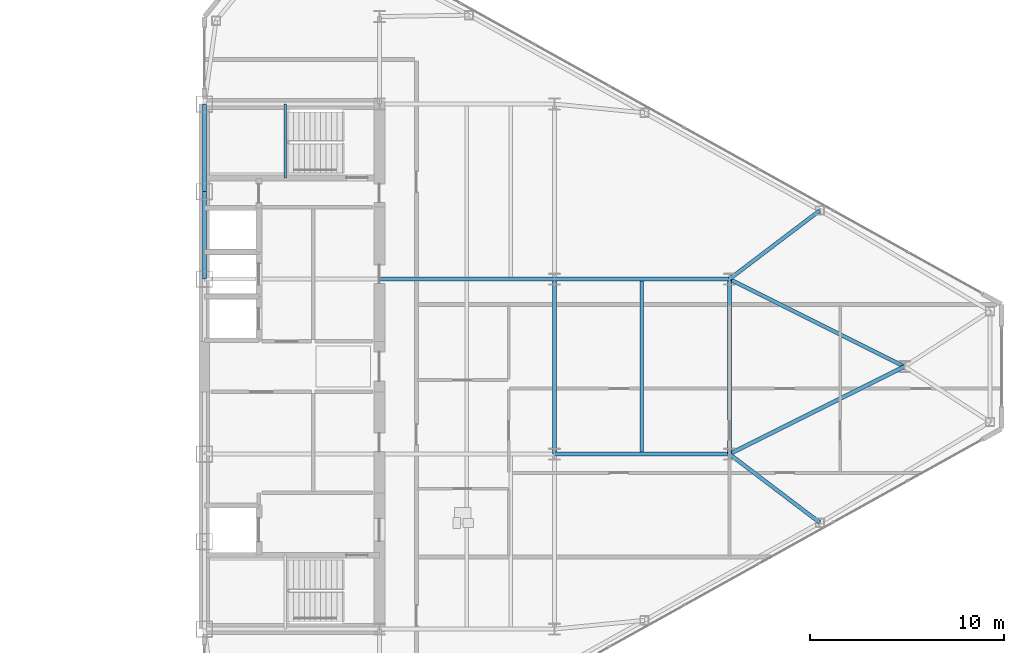
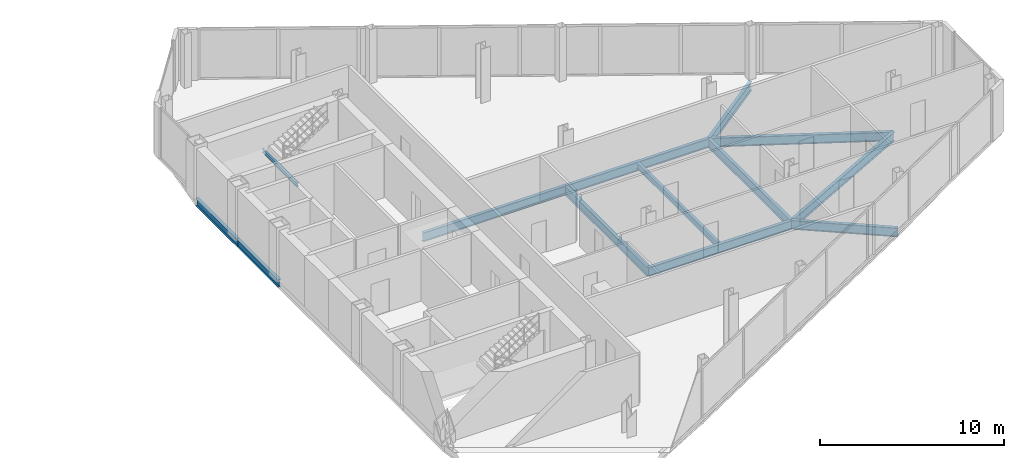
# One storey, part 14 of 25: 13 beams.
"""IFC4 building model written with IfcOpenShell, lengths in metres."""

from ifc_helpers import new_model, si_unit, direction, frame, origin, origin_2d, place, context, subcontext, project, spatial, i_section, extrude, source, transform, mapped, material, material_profile, profile_set, type_object, type_shapes, element, save


model = new_model("IFC4")

# Units and contexts
model_context = context("Model", 3, precision=1e-05, world=origin(), true_north=direction((0.0, 1.0)))
body_context = subcontext(model_context, "Body", "Model", "MODEL_VIEW")
ifc_project = project(units=[si_unit("LENGTHUNIT", "METRE"), si_unit("AREAUNIT", "SQUARE_METRE"), si_unit("VOLUMEUNIT", "CUBIC_METRE"), si_unit("PLANEANGLEUNIT", "RADIAN"), si_unit("MASSUNIT", "GRAM", prefix="KILO")], contexts=[model_context])

# Site, building, storey
site_placement = place(None, origin())
site = spatial("IfcSite", under=ifc_project, at=site_placement, CompositionType="ELEMENT")
building_placement = place(site_placement, origin())
building = spatial("IfcBuilding", under=site, at=building_placement, Name="Seokmaru Belvedere", CompositionType="ELEMENT")
storey_placement = place(building_placement, frame((0.0, 0.0, 185.10009765625)))
storey = spatial("IfcBuildingStorey", under=building, at=storey_placement, Name="L49", CompositionType="ELEMENT", Elevation=185.10009765625)

# Beams
ifc_material = material(Name="Steel SM355 (355 MPa)", Category="steel")
ifc_material_profile_1 = material_profile(ifc_material, i_section(OverallWidth=0.199951171875, OverallDepth=0.5, WebThickness=0.010009765625, FlangeThickness=0.01611328125, at=origin_2d()), Name="H-500x200x10x16")
ifc_profile_set_1 = profile_set([ifc_material_profile_1], Name="Steel SM355 (355 MPa)")
beam_type_1 = type_object("IfcBeamType", Name="Perimeter Spandrel Beam H-500", PredefinedType="SPANDREL", material=ifc_profile_set_1)
shared_shape_1 = source(origin(), body_context, "Body", "SweptSolid", [
    extrude(i_section(OverallWidth=0.199951171875, OverallDepth=0.5, WebThickness=0.010009765625, FlangeThickness=0.01611328125, at=origin_2d()), origin(), (0.0, 0.0, 1.0), 4.5),
])
type_shapes(beam_type_1, [shared_shape_1])
for number, where, z_axis, x_axis, name in (
    (1, (27.5, 4.5, -0.47021484375), (0.0, 1.0, 0.0), (-1.0, 0.0, 0.0), "L49 E Portal Spine Spandrel 4"),
    (2, (27.5, 9.0, -0.47021484375), (0.0, 1.0, 0.0), (-1.0, 0.0, 0.0), "L49 E Portal Spine Spandrel 5"),
):
    element("IfcBeam", number, at=place(storey_placement, frame(where, z_axis=z_axis, x_axis=x_axis)), inside=storey, type_object=beam_type_1, Name=name, PredefinedType="SPANDREL", context=body_context, shape_type="MappedRepresentation", body=[
        mapped(shared_shape_1, transform((0.0, 0.0, 0.0), scale=1.0)),
    ])
ifc_material_profile_2 = material_profile(ifc_material, i_section(OverallWidth=0.199951171875, OverallDepth=0.60009765625, WebThickness=0.010986328125, FlangeThickness=0.01708984375, at=origin_2d()), Name="H-600x200x11x17")
ifc_profile_set_2 = profile_set([ifc_material_profile_2], Name="Steel SM355 (355 MPa)")
beam_type_2 = type_object("IfcBeamType", Name="Primary Floor Girder H-600", PredefinedType="BEAM", material=ifc_profile_set_2)
shared_shape_2 = source(origin(), body_context, "Body", "SweptSolid", [
    extrude(i_section(OverallWidth=0.199951171875, OverallDepth=0.60009765625, WebThickness=0.010986328125, FlangeThickness=0.01708984375, at=origin_2d()), origin(), (0.0, 0.0, 1.0), 9.0),
])
for number, where, z_axis, x_axis, name in (
    (3, (45.5, -4.5, -0.52001953125), (0.0, 1.0, 0.0), (-1.0, 0.0, 0.0), "L49 E Interior Grid Girder 2"),
    (4, (36.5, 4.5, -0.52001953125), (1.0, 0.0, 0.0), (0.0, 1.0, 0.0), "L49 E Wing Primary Girder 3"),
    (5, (45.5, -4.5, -0.52001953125), (1.0, 0.0, 0.0), (0.0, 1.0, 0.0), "L49 E Outer Wing Girder 1"),
    (6, (45.5, 4.5, -0.52001953125), (1.0, 0.0, 0.0), (0.0, 1.0, 0.0), "L49 E Outer Wing Girder 2"),
    (7, (54.5, -4.5, -0.52001953125), (0.0, 1.0, 0.0), (-1.0, 0.0, 0.0), "L49 E Apex Frame Girder"),
):
    element("IfcBeam", number, at=place(storey_placement, frame(where, z_axis=z_axis, x_axis=x_axis)), inside=storey, type_object=beam_type_2, Name=name, PredefinedType="BEAM", context=body_context, shape_type="MappedRepresentation", body=[
        mapped(shared_shape_2, transform((0.0, 0.0, 0.0), scale=1.0)),
    ])
shared_shape_3 = source(origin(), body_context, "Body", "SweptSolid", [
    extrude(i_section(OverallWidth=0.199951171875, OverallDepth=0.60009765625, WebThickness=0.010986328125, FlangeThickness=0.01708984375, at=origin_2d()), origin(), (0.0, 0.0, 1.0), 10.062255859375),
])
for number, where, z_axis, x_axis, name in (
    (8, (54.5, -4.5, -0.52001953125), (0.894427191, 0.4472135955, 0.0), (-0.4472135955, 0.894427191, 0.0), "L49 E Apex Converging Girder 1"),
    (9, (54.5, 4.5, -0.52001953125), (0.894427191, -0.4472135955, 0.0), (0.4472135955, 0.894427191, 0.0), "L49 E Apex Converging Girder 2"),
):
    element("IfcBeam", number, at=place(storey_placement, frame(where, z_axis=z_axis, x_axis=x_axis)), inside=storey, type_object=beam_type_2, Name=name, PredefinedType="BEAM", context=body_context, shape_type="MappedRepresentation", body=[
        mapped(shared_shape_3, transform((0.0, 0.0, 0.0), scale=1.0)),
    ])
ifc_material_profile_3 = material_profile(ifc_material, i_section(OverallWidth=0.18505859375, OverallDepth=0.389892578125, WebThickness=0.008056640625, FlangeThickness=0.011962890625, at=origin_2d()), Name="H-390x185x8x12")
ifc_profile_set_3 = profile_set([ifc_material_profile_3], Name="Steel SM355 (355 MPa)")
beam_type_3 = type_object("IfcBeamType", Name="Secondary Floor Joist H-350", PredefinedType="JOIST", material=ifc_profile_set_3)
shared_shape_4 = source(origin(), body_context, "Body", "SweptSolid", [
    extrude(i_section(OverallWidth=0.18505859375, OverallDepth=0.389892578125, WebThickness=0.008056640625, FlangeThickness=0.011962890625, at=origin_2d()), origin(), (0.0, 0.0, 1.0), 8.7900390625),
])
type_shapes(beam_type_3, [shared_shape_4])
beam_1_placement = place(storey_placement, frame((50.0, -4.39501953125, -0.4150390625), z_axis=(0.0, 1.0, 0.0), x_axis=(-1.0, 0.0, 0.0)))
element("IfcBeam", 10, at=beam_1_placement, inside=storey, type_object=beam_type_3, Name="L49 E Outer Bay Secondary Joist", PredefinedType="JOIST", context=body_context, shape_type="MappedRepresentation", body=[
    mapped(shared_shape_4, transform((0.0, 0.0, 0.0), scale=1.0)),
])
shared_shape_5 = source(origin(), body_context, "Body", "SweptSolid", [
    extrude(i_section(OverallWidth=0.199951171875, OverallDepth=0.60009765625, WebThickness=0.010986328125, FlangeThickness=0.01708984375, at=origin_2d()), origin(), (0.0, 0.0, 1.0), 5.842529296875),
])
type_shapes(beam_type_2, [shared_shape_2, shared_shape_3, shared_shape_5])
for number, where, z_axis, x_axis, name in (
    (11, (59.154541015625, -8.031494140625, -0.52001953125), (-0.796653109879, 0.604436781243, 0.0), (-0.604436781243, -0.796653109879, 0.0), "L49 E Flank Radial Floor Girder S-3"),
    (12, (59.154541015625, 8.031494140625, -0.52001953125), (-0.796653109879, -0.604436781243, 0.0), (0.604436781243, -0.796653109879, 0.0), "L49 E Flank Radial Floor Girder N-3"),
):
    element("IfcBeam", number, at=place(storey_placement, frame(where, z_axis=z_axis, x_axis=x_axis)), inside=storey, type_object=beam_type_2, Name=name, PredefinedType="BEAM", context=body_context, shape_type="MappedRepresentation", body=[
        mapped(shared_shape_5, transform((0.0, 0.0, 0.0), scale=1.0)),
    ])
ifc_material_profile_4 = material_profile(ifc_material, i_section(OverallWidth=0.125, OverallDepth=0.25, WebThickness=0.006103515625, FlangeThickness=0.009033203125, at=origin_2d()), Name="H-250x125x6x9")
ifc_profile_set_4 = profile_set([ifc_material_profile_4], Name="Steel SM355 (355 MPa)")
beam_type_4 = type_object("IfcBeamType", Name="Stair Mid-Landing Support Beam H-250", PredefinedType="JOIST", material=ifc_profile_set_4)
shared_shape_6 = source(origin(), body_context, "Body", "SweptSolid", [
    extrude(i_section(OverallWidth=0.125, OverallDepth=0.25, WebThickness=0.006103515625, FlangeThickness=0.009033203125, at=origin_2d()), origin(), (0.0, 0.0, 1.0), 3.800048828125),
])
type_shapes(beam_type_4, [shared_shape_6])
beam_2_placement = place(storey_placement, frame((31.64990234375, 9.699951171875, 1.474853515625), z_axis=(0.0, 1.0, 0.0), x_axis=(-1.0, 0.0, 0.0)))
element("IfcBeam", 13, at=beam_2_placement, inside=storey, type_object=beam_type_4, Name="L49 Stair ST-E2 Mid-Landing Support Beam 1", PredefinedType="JOIST", context=body_context, shape_type="MappedRepresentation", body=[
    mapped(shared_shape_6, transform((0.0, 0.0, 0.0), scale=1.0)),
])

save(model, "model.ifc")
